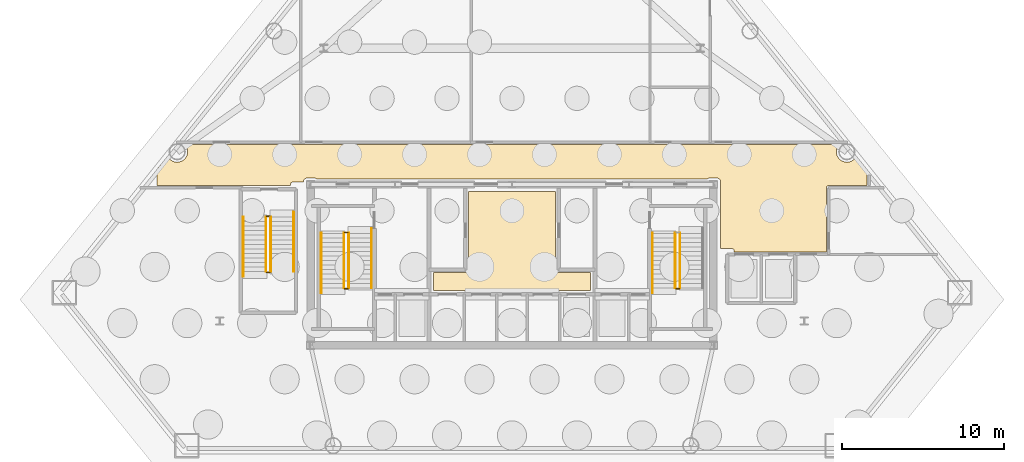
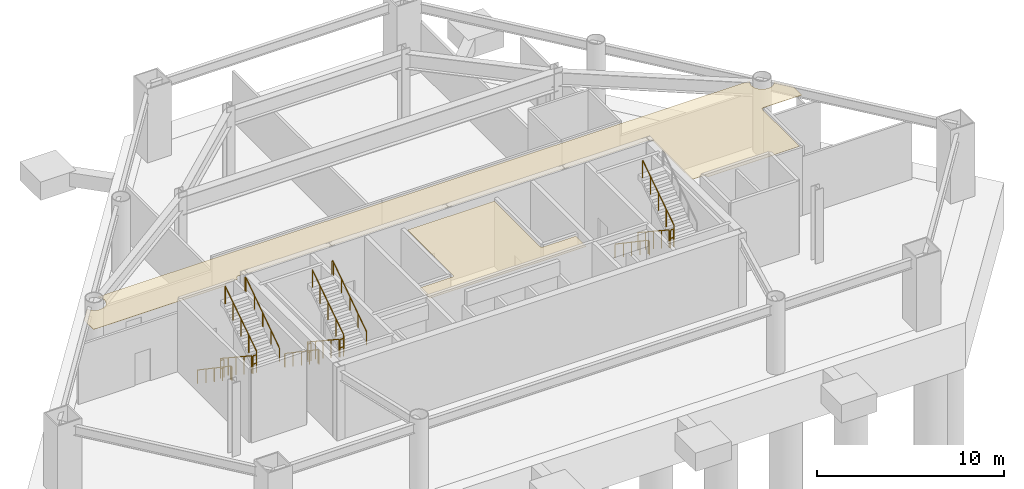
# One storey, part 6 of 8: 16 railings, 2 coverings.
"""IFC4 building model written with IfcOpenShell, lengths in metres."""

import ifcopenshell
import ifcopenshell.guid

model = None  # the IFC model being written
_history = None  # IfcOwnerHistory: only IFC2X3 demands one
_inside = {}  # id of a spatial element -> (the spatial element, [elements in it])
_under = {}  # id of a project, library or spatial element -> (it, [spatial elements below it])
_declared = {}  # id of a project -> (the project, [libraries it declares])
_typed = {}  # id of a type object -> (the type object, [elements of that type])
_made_of = {}  # id of a material, layer set ... -> (it, [elements and type objects made of it])


def new_model(schema):
    """Start an empty IFC model of exactly this schema.

    Asked for "IFC4X3", IfcOpenShell would pick the latest addendum, in which some entities
    have other attributes; the version numbers below select the first issue.
    IFC2X3 requires an IfcOwnerHistory on every rooted entity: one is made here for all.
    """
    global model, _history
    if schema == "IFC4X3":
        model = ifcopenshell.file(schema_version=(4, 3, 0, 0))
    else:
        model = ifcopenshell.file(schema=schema)
    _inside.clear()
    _under.clear()
    _declared.clear()
    _typed.clear()
    _made_of.clear()
    _history = None
    if model.schema == "IFC2X3":
        org = make("IfcOrganization", Name="unknown")
        user = make(
            "IfcPersonAndOrganization",
            ThePerson=make("IfcPerson", FamilyName="unknown"),
            TheOrganization=org,
        )
        app = make(
            "IfcApplication",
            ApplicationDeveloper=org,
            Version="unknown",
            ApplicationFullName="unknown",
            ApplicationIdentifier="unknown",
        )
        _history = make(
            "IfcOwnerHistory",
            OwningUser=user,
            OwningApplication=app,
            ChangeAction="ADDED",
            CreationDate=0,
        )
    return model


def make(cls, **values):
    """One entity of the class cls with the attributes given. An attribute that is None is left unset."""
    return model.create_entity(
        cls, **{name: value for name, value in values.items() if value is not None}
    )


def rooted(cls, **values):
    """An entity with a GlobalId (a new one), such as an element, a storey or a relation."""
    return make(cls, GlobalId=ifcopenshell.guid.new(), OwnerHistory=_history, **values)


def si_unit(unit_type, name, prefix=None):
    """IfcSIUnit, for example si_unit("LENGTHUNIT", "METRE", prefix="MILLI")."""
    return make("IfcSIUnit", UnitType=unit_type, Prefix=prefix, Name=name)


def assignment(units):
    """IfcUnitAssignment: the units of a project."""
    return None if units is None else make("IfcUnitAssignment", Units=units)


def point(xyz):
    """IfcCartesianPoint."""
    return None if xyz is None else make("IfcCartesianPoint", Coordinates=xyz)


def direction(xyz):
    """IfcDirection."""
    return None if xyz is None else make("IfcDirection", DirectionRatios=xyz)


def frame(location, z_axis=None, x_axis=None):
    """IfcAxis2Placement3D, a coordinate frame: its origin and axes. An axis left out is left unset."""
    return make(
        "IfcAxis2Placement3D",
        Location=point(location),
        Axis=direction(z_axis),
        RefDirection=direction(x_axis),
    )


def frame_2d(location, x_axis=None):
    """IfcAxis2Placement2D, a coordinate frame in the plane: its origin and x axis."""
    return make(
        "IfcAxis2Placement2D", Location=point(location), RefDirection=direction(x_axis)
    )


def origin():
    """The frame at (0, 0, 0) with its axes left unset."""
    return frame((0.0, 0.0, 0.0))


def origin_2d():
    """The frame at (0, 0) in the plane with its x axis left unset."""
    return frame_2d((0.0, 0.0))


def place(relative_to, where):
    """IfcLocalPlacement: puts the frame where relative to a parent placement (None: the world)."""
    return make(
        "IfcLocalPlacement", PlacementRelTo=relative_to, RelativePlacement=where
    )


def context(
    kind, dimensions, precision=None, world=None, true_north=None, identifier=None
):
    """IfcGeometricRepresentationContext, for example the 3D "Model" context."""
    return make(
        "IfcGeometricRepresentationContext",
        ContextIdentifier=identifier,
        ContextType=kind,
        CoordinateSpaceDimension=dimensions,
        Precision=precision,
        WorldCoordinateSystem=world,
        TrueNorth=true_north,
    )


def subcontext(parent, identifier, kind, view, scale=None):
    """IfcGeometricRepresentationSubContext, for example "Body" below "Model"."""
    return make(
        "IfcGeometricRepresentationSubContext",
        ContextIdentifier=identifier,
        ContextType=kind,
        ParentContext=parent,
        TargetScale=scale,
        TargetView=view,
    )


def project(units=None, contexts=None):
    """IfcProject with its units and contexts."""
    return rooted(
        "IfcProject",
        Name="project",
        RepresentationContexts=contexts,
        UnitsInContext=assignment(units),
    )


def spatial(cls, under=None, at=None, **own):
    """A site, building, storey or space (cls), placed at a placement, below another one or the project."""
    s = rooted(cls, ObjectPlacement=at, **own)
    if under is not None:
        _under.setdefault(under.id(), (under, []))[1].append(s)
    return s


def polyline(points):
    """IfcPolyline through the points."""
    return make("IfcPolyline", Points=[point(p) for p in points])


def profile(cls, at=None, kind="AREA", **sizes):
    """A parametric profile (cls). Its sizes go by their IFC names, for example OverallWidth=200.0."""
    return make(cls, ProfileType=kind, Position=at, **sizes)


def rectangle(**sizes):
    """IfcRectangleProfileDef."""
    return profile("IfcRectangleProfileDef", **sizes)


def outline(outer, holes=None, kind="AREA"):
    """IfcArbitraryClosedProfileDef: a profile drawn as a closed curve; with holes, ...WithVoids."""
    if holes is None:
        return make("IfcArbitraryClosedProfileDef", ProfileType=kind, OuterCurve=outer)
    return make(
        "IfcArbitraryProfileDefWithVoids",
        ProfileType=kind,
        OuterCurve=outer,
        InnerCurves=holes,
    )


def extrude(swept, where, along, depth):
    """IfcExtrudedAreaSolid: the profile swept, set in the frame where, extruded along a direction by depth."""
    return make(
        "IfcExtrudedAreaSolid",
        SweptArea=swept,
        Position=where,
        ExtrudedDirection=direction(along),
        Depth=depth,
    )


def shape(context_of_items, identifier, shape_type, items):
    """IfcShapeRepresentation: the items that make up one representation, for example the "Body"."""
    return make(
        "IfcShapeRepresentation",
        ContextOfItems=context_of_items,
        RepresentationIdentifier=identifier,
        RepresentationType=shape_type,
        Items=items,
    )


def material(Name=None, Category=None):
    """IfcMaterial."""
    return make("IfcMaterial", Name=Name, Category=Category)


def layer(
    of_material, thickness, ventilated=None, Name=None, Category=None, Priority=None
):
    """IfcMaterialLayer: one layer of a wall or slab, of a material (None: an air gap)."""
    return make(
        "IfcMaterialLayer",
        Material=of_material,
        LayerThickness=thickness,
        IsVentilated=ventilated,
        Name=Name,
        Category=Category,
        Priority=Priority,
    )


def layer_set(layers, Name=None):
    """IfcMaterialLayerSet."""
    return make("IfcMaterialLayerSet", MaterialLayers=layers, LayerSetName=Name)


def made_of(thing, what):
    """Note that an element or type object is made of a material, layer set ...; save() writes the relation."""
    if what is not None:
        _made_of.setdefault(what.id(), (what, []))[1].append(thing)
    return thing


def type_object(cls, material=None, **own):
    """A type object (cls), such as IfcWallType, which elements share."""
    return made_of(rooted(cls, **own), material)


def element(
    cls,
    number,
    at=None,
    inside=None,
    cuts=None,
    type_object=None,
    material=None,
    context=None,
    identifier="Body",
    shape_type=None,
    held_by="IfcProductDefinitionShape",
    body=None,
    shapes=None,
    **own,
):
    """One element of the class cls, such as IfcWall. Its Tag is "e" and its number.

    at: its placement. inside: the storey or other place that contains it. cuts: it is an
    opening in that element (IfcRelVoidsElement). A single representation is given by context,
    identifier, shape_type and body (its items); several are given by shapes. held_by: the class
    of the entity that holds the representations. save() writes the other relations.
    """
    e = rooted(cls, Tag="e%d" % number, ObjectPlacement=at, **own)
    if body is not None:
        shapes = [shape(context, identifier, shape_type, body)]
    if shapes is not None:
        e.Representation = make(held_by, Representations=shapes)
    if inside is not None:
        _inside.setdefault(inside.id(), (inside, []))[1].append(e)
    if cuts is not None:
        rooted(
            "IfcRelVoidsElement", RelatingBuildingElement=cuts, RelatedOpeningElement=e
        )
    if type_object is not None:
        _typed.setdefault(type_object.id(), (type_object, []))[1].append(e)
    return made_of(e, material)


def aggregate(whole, parts):
    """IfcRelAggregates: a whole, such as a stair, and the parts it consists of."""
    return rooted("IfcRelAggregates", RelatingObject=whole, RelatedObjects=parts)


def save(model, path):
    """Write the relations noted so far, then the file.

    IfcRelAggregates (storeys below a building ...), IfcRelContainedInSpatialStructure (elements
    in a storey), IfcRelDefinesByType, IfcRelAssociatesMaterial and IfcRelDeclares: one each for
    every whole, place, type object, material and project.
    """
    for whole, parts in _under.values():
        aggregate(whole, parts)
    for where, things in _inside.values():
        rooted(
            "IfcRelContainedInSpatialStructure",
            RelatedElements=things,
            RelatingStructure=where,
        )
    for kind, things in _typed.values():
        rooted("IfcRelDefinesByType", RelatedObjects=things, RelatingType=kind)
    for what, things in _made_of.values():
        rooted("IfcRelAssociatesMaterial", RelatedObjects=things, RelatingMaterial=what)
    for by, libraries in _declared.values():
        rooted("IfcRelDeclares", RelatingContext=by, RelatedDefinitions=libraries)
    model.write(path)


model = new_model("IFC4")

# Units and contexts
model_context = context("Model", 3, precision=1e-05, world=origin(), true_north=direction((0.0, 1.0)))
body_context = subcontext(model_context, "Body", "Model", "MODEL_VIEW")
ifc_project = project(units=[si_unit("LENGTHUNIT", "METRE"), si_unit("AREAUNIT", "SQUARE_METRE"), si_unit("VOLUMEUNIT", "CUBIC_METRE"), si_unit("PLANEANGLEUNIT", "RADIAN"), si_unit("MASSUNIT", "GRAM", prefix="KILO")], contexts=[model_context])

# Site, building, storey
site_placement = place(None, origin())
site = spatial("IfcSite", under=ifc_project, at=site_placement, CompositionType="ELEMENT")
building_placement = place(site_placement, origin())
building = spatial("IfcBuilding", under=site, at=building_placement, Name="Talgorran Terracotta Tower", CompositionType="ELEMENT")
storey_placement = place(building_placement, frame((0.0, 0.0, -4.800048828125)))
storey = spatial("IfcBuildingStorey", under=building, at=storey_placement, Name="B1", CompositionType="ELEMENT", Elevation=-4.800048828125)

# Coverings
ifc_material_1 = material(Name="Mineral Fibre Acoustic Tile")
ifc_layer_1 = layer(ifc_material_1, 0.02490234375, Name="COV_CEIL_ACOUSTIC")
ifc_layer_set_1 = layer_set([ifc_layer_1], Name="Mineral Fibre Acoustic Tile")
covering_type_1 = type_object("IfcCoveringType", Name="COV_CEIL_ACOUSTIC", PredefinedType="CEILING", material=ifc_layer_set_1)
covering_1_placement = place(storey_placement, frame((0.0, 0.0, 4.39013671875)))
element("IfcCovering", 1, at=covering_1_placement, inside=storey, type_object=covering_type_1, Name="CEIL-B1-2", PredefinedType="CEILING", context=body_context, shape_type="SweptSolid", body=[
    extrude(outline(polyline([(-21.211669921875, -2.4453125), (-21.209716796875, -2.4482421875), (-21.094970703125, -2.620361328125), (-21.087890625, -2.629638671875), (-21.080078125, -2.638427734375), (-21.0712890625, -2.646484375), (-21.061767578125, -2.6533203125), (-20.889892578125, -2.768310546875), (-20.879638671875, -2.7744140625), (-20.868896484375, -2.779296875), (-20.85791015625, -2.783203125), (-20.846435546875, -2.7861328125), (-20.643798828125, -2.826416015625), (-20.632080078125, -2.828125), (-20.620361328125, -2.828857421875), (-20.6083984375, -2.828125), (-20.596923828125, -2.826416015625), (-20.39404296875, -2.7861328125), (-20.3828125, -2.783203125), (-20.37158203125, -2.779296875), (-20.36083984375, -2.7744140625), (-20.350830078125, -2.768310546875), (-20.1787109375, -2.6533203125), (-20.16943359375, -2.646484375), (-20.16064453125, -2.638427734375), (-20.152587890625, -2.629638671875), (-20.145751953125, -2.620361328125), (-20.03076171875, -2.4482421875), (-20.02490234375, -2.438232421875), (-20.019775390625, -2.427490234375), (-20.015869140625, -2.41650390625), (-20.012939453125, -2.405029296875), (-19.97265625, -2.2021484375), (-19.970947265625, -2.190673828125), (-19.97021484375, -2.1787109375), (-19.970947265625, -2.1669921875), (-19.97265625, -2.155517578125), (-20.012939453125, -1.95263671875), (-20.015869140625, -1.941162109375), (-20.019775390625, -1.93017578125), (-20.02490234375, -1.91943359375), (-20.03076171875, -1.9091796875), (-20.145751953125, -1.7373046875), (-20.1474609375, -1.735107421875), (20.1474609375, -1.735107421875), (20.145751953125, -1.7373046875), (20.03076171875, -1.9091796875), (20.02490234375, -1.91943359375), (20.019775390625, -1.93017578125), (20.015869140625, -1.941162109375), (20.012939453125, -1.95263671875), (19.97265625, -2.155517578125), (19.970947265625, -2.1669921875), (19.97021484375, -2.1787109375), (19.970947265625, -2.190673828125), (19.97265625, -2.2021484375), (20.012939453125, -2.405029296875), (20.015869140625, -2.41650390625), (20.019775390625, -2.427490234375), (20.02490234375, -2.438232421875), (20.03076171875, -2.4482421875), (20.145751953125, -2.620361328125), (20.152587890625, -2.629638671875), (20.16064453125, -2.638427734375), (20.16943359375, -2.646484375), (20.1787109375, -2.6533203125), (20.350830078125, -2.768310546875), (20.36083984375, -2.7744140625), (20.37158203125, -2.779296875), (20.3828125, -2.783203125), (20.39404296875, -2.7861328125), (20.596923828125, -2.826416015625), (20.6083984375, -2.828125), (20.620361328125, -2.828857421875), (20.632080078125, -2.828125), (20.643798828125, -2.826416015625), (20.846435546875, -2.7861328125), (20.85791015625, -2.783203125), (20.868896484375, -2.779296875), (20.879638671875, -2.7744140625), (20.889892578125, -2.768310546875), (21.061767578125, -2.6533203125), (21.0712890625, -2.646484375), (21.080078125, -2.638427734375), (21.087890625, -2.629638671875), (21.094970703125, -2.620361328125), (21.209716796875, -2.4482421875), (21.2109375, -2.4462890625), (21.864990234375, -3.260986328125), (21.864990234375, -4.264892578125), (19.5, -4.264892578125), (19.48828125, -4.265625), (19.476806640625, -4.267333984375), (19.46533203125, -4.27001953125), (19.45703125, -4.272705078125), (19.446044921875, -4.276611328125), (19.435302734375, -4.281494140625), (19.42529296875, -4.28759765625), (19.415771484375, -4.294677734375), (19.406982421875, -4.302490234375), (19.399169921875, -4.311279296875), (19.3935546875, -4.318115234375), (19.386474609375, -4.327392578125), (19.38037109375, -4.337646484375), (19.375244140625, -4.348388671875), (19.371337890625, -4.359375), (19.368408203125, -4.370849609375), (19.36669921875, -4.382568359375), (19.3662109375, -4.394287109375), (19.364990234375, -8.364990234375), (13.684814453125, -8.364990234375), (13.684814453125, -8.2783203125), (13.684326171875, -8.2666015625), (13.6826171875, -8.255126953125), (13.6796875, -8.243896484375), (13.67578125, -8.232666015625), (13.672607421875, -8.224609375), (13.66748046875, -8.214111328125), (13.66162109375, -8.2041015625), (13.65478515625, -8.19482421875), (13.64697265625, -8.186279296875), (13.638427734375, -8.17822265625), (13.629150390625, -8.17138671875), (13.621826171875, -8.16650390625), (13.61181640625, -8.16015625), (13.60107421875, -8.155029296875), (13.58984375, -8.15087890625), (13.578125, -8.14794921875), (13.56640625, -8.146240234375), (13.554443359375, -8.1455078125), (12.8349609375, -8.14501953125), (12.8349609375, -3.97998046875), (12.83447265625, -3.96826171875), (12.832763671875, -3.956787109375), (12.829833984375, -3.9453125), (12.827392578125, -3.93701171875), (12.823486328125, -3.926025390625), (12.818359375, -3.915283203125), (12.8125, -3.9052734375), (12.805419921875, -3.895751953125), (12.797607421875, -3.886962890625), (12.7890625, -3.87939453125), (12.785888671875, -3.872314453125), (12.77978515625, -3.8623046875), (12.772705078125, -3.852783203125), (12.764892578125, -3.843994140625), (12.756103515625, -3.836181640625), (12.74658203125, -3.8291015625), (12.736572265625, -3.8232421875), (12.725830078125, -3.818115234375), (12.71484375, -3.814208984375), (12.703369140625, -3.811279296875), (12.69189453125, -3.8095703125), (12.679931640625, -3.80908203125), (12.1201171875, -3.80908203125), (12.108154296875, -3.8095703125), (12.0966796875, -3.811279296875), (12.085205078125, -3.814208984375), (12.07421875, -3.818115234375), (12.0634765625, -3.8232421875), (12.05322265625, -3.8291015625), (12.0439453125, -3.836181640625), (12.03515625, -3.843994140625), (12.034423828125, -3.844970703125), (7.432861328125, -3.844970703125), (6.968017578125, -3.843017578125), (6.967529296875, -3.843017578125), (0.232666015625, -3.844970703125), (-0.23193359375, -3.843017578125), (-0.232421875, -3.843017578125), (-6.96728515625, -3.844970703125), (-7.431884765625, -3.843017578125), (-7.4326171875, -3.843017578125), (-12.034423828125, -3.844970703125), (-12.03515625, -3.843994140625), (-12.0439453125, -3.836181640625), (-12.05322265625, -3.8291015625), (-12.0634765625, -3.8232421875), (-12.07421875, -3.818115234375), (-12.085205078125, -3.814208984375), (-12.0966796875, -3.811279296875), (-12.108154296875, -3.8095703125), (-12.1201171875, -3.80908203125), (-12.679931640625, -3.80908203125), (-12.69189453125, -3.8095703125), (-12.703369140625, -3.811279296875), (-12.71484375, -3.814208984375), (-12.725830078125, -3.818115234375), (-12.736572265625, -3.8232421875), (-12.74658203125, -3.8291015625), (-12.756103515625, -3.836181640625), (-12.764892578125, -3.843994140625), (-12.772705078125, -3.852783203125), (-12.77978515625, -3.8623046875), (-12.785888671875, -3.872314453125), (-12.788818359375, -3.878662109375), (-12.79296875, -3.882568359375), (-12.80078125, -3.89111328125), (-12.806396484375, -3.89794921875), (-12.8134765625, -3.907470703125), (-12.819580078125, -3.91748046875), (-12.82470703125, -3.927978515625), (-12.82861328125, -3.93896484375), (-12.83154296875, -3.9501953125), (-12.833251953125, -3.9619140625), (-12.833984375, -3.9736328125), (-12.834228515625, -4.044921875), (-13.5, -4.044921875), (-13.51171875, -4.045654296875), (-13.523193359375, -4.04736328125), (-13.53466796875, -4.050048828125), (-13.54296875, -4.052490234375), (-13.553955078125, -4.056396484375), (-13.564697265625, -4.0615234375), (-13.57470703125, -4.067626953125), (-13.584228515625, -4.07470703125), (-13.593017578125, -4.08251953125), (-13.600830078125, -4.09130859375), (-13.6064453125, -4.097900390625), (-13.613525390625, -4.107421875), (-13.61962890625, -4.117431640625), (-13.62451171875, -4.1279296875), (-13.628662109375, -4.138916015625), (-13.631591796875, -4.150390625), (-13.63330078125, -4.162109375), (-13.6337890625, -4.173583984375), (-13.634521484375, -4.264892578125), (-21.864990234375, -4.264892578125), (-21.864990234375, -3.260986328125), (-21.211669921875, -2.4453125)])), origin(), (0.0, 0.0, 1.0), 0.02001953125),
])
ifc_material_2 = material(Name="Flush Moisture-Resistant Plaster")
ifc_layer_2 = layer(ifc_material_2, 0.01806640625, Name="COV_CEIL_PLASTER")
ifc_layer_set_2 = layer_set([ifc_layer_2], Name="Flush Moisture-Resistant Plaster")
covering_type_2 = type_object("IfcCoveringType", Name="COV_CEIL_PLASTER", PredefinedType="CEILING", material=ifc_layer_set_2)
covering_2_placement = place(storey_placement, frame((0.0, 0.0, 4.39013671875)))
element("IfcCovering", 2, at=covering_2_placement, inside=storey, type_object=covering_type_2, Name="CEIL-B1-1", PredefinedType="CEILING", context=body_context, shape_type="SweptSolid", body=[
    extrude(outline(polyline([(-4.830078125, -9.6201171875), (-2.800048828125, -9.6201171875), (-2.7880859375, -9.619384765625), (-2.776611328125, -9.61767578125), (-2.76513671875, -9.61474609375), (-2.754150390625, -9.61083984375), (-2.743408203125, -9.605712890625), (-2.7333984375, -9.599853515625), (-2.723876953125, -9.5927734375), (-2.715087890625, -9.5849609375), (-2.707275390625, -9.576171875), (-2.7001953125, -9.566650390625), (-2.694091796875, -9.556640625), (-2.689208984375, -9.5458984375), (-2.685302734375, -9.534912109375), (-2.682373046875, -9.5234375), (-2.6806640625, -9.51171875), (-2.679931640625, -9.5), (-2.679931640625, -4.6201171875), (2.679931640625, -4.6201171875), (2.679931640625, -9.5), (2.6806640625, -9.51171875), (2.682373046875, -9.5234375), (2.685302734375, -9.534912109375), (2.689208984375, -9.5458984375), (2.694091796875, -9.556640625), (2.7001953125, -9.566650390625), (2.707275390625, -9.576171875), (2.715087890625, -9.5849609375), (2.723876953125, -9.5927734375), (2.7333984375, -9.599853515625), (2.743408203125, -9.605712890625), (2.754150390625, -9.61083984375), (2.76513671875, -9.61474609375), (2.776611328125, -9.61767578125), (2.7880859375, -9.619384765625), (2.800048828125, -9.6201171875), (4.830078125, -9.6201171875), (4.830078125, -10.72998046875), (-4.830078125, -10.72998046875), (-4.830078125, -9.6201171875)])), origin(), (0.0, 0.0, 1.0), 0.02001953125),
])

# Railings
ifc_material_3 = material(Name="Steel S355 (300PLUS)", Category="steel")
railing_type_1 = type_object("IfcRailingType", Name="RL_HANDRAIL_920", PredefinedType="HANDRAIL", material=ifc_material_3)
railing_1_placement = place(storey_placement, frame((-11.75, -7.199951171875, 0.1845703125)))
element("IfcRailing", 3, at=railing_1_placement, inside=storey, type_object=railing_type_1, Name="B1 ST-01 stair handrail 1", PredefinedType="HANDRAIL", context=body_context, shape_type="SweptSolid", body=[
    extrude(rectangle(XDim=0.048095703125, YDim=0.048095703125, at=origin_2d()), frame((0.0, 0.0, 0.89599609375), z_axis=(0.0, -0.827695465973, 0.561177525929), x_axis=(1.0, 0.0, 0.0)), (0.0, 0.0, 1.0), 4.277099609375),
    extrude(rectangle(XDim=0.048095703125, YDim=0.048095703125, at=origin_2d()), frame((0.0, -3.5400390625, 3.2958984375), z_axis=(0.0, -1.0, 0.0), x_axis=(1.0, 0.0, 0.0)), (0.0, 0.0, 1.0), 0.1201171875),
    extrude(rectangle(XDim=0.0419921875, YDim=0.0419921875, at=origin_2d()), origin(), (0.0, 0.0, 1.0), 0.871826171875),
    extrude(rectangle(XDim=0.0419921875, YDim=0.0419921875, at=origin_2d()), frame((0.0, -0.885009765625, 0.60009765625)), (0.0, 0.0, 1.0), 0.871826171875),
    extrude(rectangle(XDim=0.0419921875, YDim=0.0419921875, at=origin_2d()), frame((0.0, -1.77001953125, 1.2001953125)), (0.0, 0.0, 1.0), 0.871826171875),
    extrude(rectangle(XDim=0.0419921875, YDim=0.0419921875, at=origin_2d()), frame((0.0, -2.655029296875, 1.800048828125)), (0.0, 0.0, 1.0), 0.871826171875),
    extrude(rectangle(XDim=0.0419921875, YDim=0.0419921875, at=origin_2d()), frame((0.0, -3.5400390625, 2.400146484375)), (0.0, 0.0, 1.0), 0.871826171875),
    extrude(rectangle(XDim=0.0419921875, YDim=0.0419921875, at=origin_2d()), frame((0.0, -3.66015625, 2.400146484375)), (0.0, 0.0, 1.0), 0.871826171875),
])
railing_2_placement = place(storey_placement, frame((-8.64990234375, -10.56005859375, 2.584716796875)))
element("IfcRailing", 4, at=railing_2_placement, inside=storey, type_object=railing_type_1, Name="B1 ST-01 stair handrail 2", PredefinedType="HANDRAIL", context=body_context, shape_type="SweptSolid", body=[
    extrude(rectangle(XDim=0.048095703125, YDim=0.048095703125, at=origin_2d()), frame((0.0, 0.0, 0.89599609375), z_axis=(0.0, 0.827721979786, 0.561138418021), x_axis=(-1.0, 0.0, 0.0)), (0.0, 0.0, 1.0), 4.27685546875),
    extrude(rectangle(XDim=0.048095703125, YDim=0.048095703125, at=origin_2d()), frame((0.0, 3.5400390625, 3.2958984375), z_axis=(0.0, 1.0, 0.0), x_axis=(-1.0, 0.0, 0.0)), (0.0, 0.0, 1.0), 0.1201171875),
    extrude(rectangle(XDim=0.0419921875, YDim=0.0419921875, at=origin_2d()), origin(), (0.0, 0.0, 1.0), 0.871826171875),
    extrude(rectangle(XDim=0.0419921875, YDim=0.0419921875, at=origin_2d()), frame((0.0, 0.885009765625, 0.60009765625)), (0.0, 0.0, 1.0), 0.871826171875),
    extrude(rectangle(XDim=0.0419921875, YDim=0.0419921875, at=origin_2d()), frame((0.0, 1.77001953125, 1.199951171875)), (0.0, 0.0, 1.0), 0.871826171875),
    extrude(rectangle(XDim=0.0419921875, YDim=0.0419921875, at=origin_2d()), frame((0.0, 2.655029296875, 1.7998046875)), (0.0, 0.0, 1.0), 0.871826171875),
    extrude(rectangle(XDim=0.0419921875, YDim=0.0419921875, at=origin_2d()), frame((0.0, 3.5400390625, 2.39990234375)), (0.0, 0.0, 1.0), 0.871826171875),
    extrude(rectangle(XDim=0.0419921875, YDim=0.0419921875, at=origin_2d()), frame((0.0, 3.66015625, 2.39990234375)), (0.0, 0.0, 1.0), 0.871826171875),
])
for number, where, name in (
    (5, (8.64990234375, -7.199951171875, 0.1845703125), "B1 ST-02 stair handrail 1"),
    (6, (-16.550048828125, -6.199951171875, 0.1845703125), "B1 ST-03 stair handrail 1"),
):
    element("IfcRailing", number, at=place(storey_placement, frame(where)), inside=storey, type_object=railing_type_1, Name=name, PredefinedType="HANDRAIL", context=body_context, shape_type="SweptSolid", body=[
        extrude(rectangle(XDim=0.048095703125, YDim=0.048095703125, at=origin_2d()), frame((0.0, 0.0, 0.89599609375), z_axis=(0.0, -0.827695465973, 0.561177525929), x_axis=(1.0, 0.0, 0.0)), (0.0, 0.0, 1.0), 4.277099609375),
        extrude(rectangle(XDim=0.048095703125, YDim=0.048095703125, at=origin_2d()), frame((0.0, -3.5400390625, 3.2958984375), z_axis=(0.0, -1.0, 0.0), x_axis=(1.0, 0.0, 0.0)), (0.0, 0.0, 1.0), 0.1201171875),
        extrude(rectangle(XDim=0.0419921875, YDim=0.0419921875, at=origin_2d()), origin(), (0.0, 0.0, 1.0), 0.871826171875),
        extrude(rectangle(XDim=0.0419921875, YDim=0.0419921875, at=origin_2d()), frame((0.0, -0.885009765625, 0.60009765625)), (0.0, 0.0, 1.0), 0.871826171875),
        extrude(rectangle(XDim=0.0419921875, YDim=0.0419921875, at=origin_2d()), frame((0.0, -1.77001953125, 1.2001953125)), (0.0, 0.0, 1.0), 0.871826171875),
        extrude(rectangle(XDim=0.0419921875, YDim=0.0419921875, at=origin_2d()), frame((0.0, -2.655029296875, 1.800048828125)), (0.0, 0.0, 1.0), 0.871826171875),
        extrude(rectangle(XDim=0.0419921875, YDim=0.0419921875, at=origin_2d()), frame((0.0, -3.5400390625, 2.400146484375)), (0.0, 0.0, 1.0), 0.871826171875),
        extrude(rectangle(XDim=0.0419921875, YDim=0.0419921875, at=origin_2d()), frame((0.0, -3.66015625, 2.400146484375)), (0.0, 0.0, 1.0), 0.871826171875),
    ])
railing_3_placement = place(storey_placement, frame((-13.449951171875, -9.56005859375, 2.584716796875)))
element("IfcRailing", 7, at=railing_3_placement, inside=storey, type_object=railing_type_1, Name="B1 ST-03 stair handrail 2", PredefinedType="HANDRAIL", context=body_context, shape_type="SweptSolid", body=[
    extrude(rectangle(XDim=0.048095703125, YDim=0.048095703125, at=origin_2d()), frame((0.0, 0.0, 0.89599609375), z_axis=(0.0, 0.827721979786, 0.561138418021), x_axis=(-1.0, 0.0, 0.0)), (0.0, 0.0, 1.0), 4.27685546875),
    extrude(rectangle(XDim=0.048095703125, YDim=0.048095703125, at=origin_2d()), frame((0.0, 3.5400390625, 3.2958984375), z_axis=(0.0, 1.0, 0.0), x_axis=(-1.0, 0.0, 0.0)), (0.0, 0.0, 1.0), 0.1201171875),
    extrude(rectangle(XDim=0.0419921875, YDim=0.0419921875, at=origin_2d()), origin(), (0.0, 0.0, 1.0), 0.871826171875),
    extrude(rectangle(XDim=0.0419921875, YDim=0.0419921875, at=origin_2d()), frame((0.0, 0.885009765625, 0.60009765625)), (0.0, 0.0, 1.0), 0.871826171875),
    extrude(rectangle(XDim=0.0419921875, YDim=0.0419921875, at=origin_2d()), frame((0.0, 1.77001953125, 1.199951171875)), (0.0, 0.0, 1.0), 0.871826171875),
    extrude(rectangle(XDim=0.0419921875, YDim=0.0419921875, at=origin_2d()), frame((0.0, 2.655029296875, 1.7998046875)), (0.0, 0.0, 1.0), 0.871826171875),
    extrude(rectangle(XDim=0.0419921875, YDim=0.0419921875, at=origin_2d()), frame((0.0, 3.5400390625, 2.39990234375)), (0.0, 0.0, 1.0), 0.871826171875),
    extrude(rectangle(XDim=0.0419921875, YDim=0.0419921875, at=origin_2d()), frame((0.0, 3.66015625, 2.39990234375)), (0.0, 0.0, 1.0), 0.871826171875),
])
railing_type_2 = type_object("IfcRailingType", Name="RL_STAIR_GUARD", PredefinedType="GUARDRAIL", material=ifc_material_3)
railing_4_placement = place(storey_placement, frame((-10.35009765625, -7.199951171875, 0.1845703125)))
element("IfcRailing", 8, at=railing_4_placement, inside=storey, type_object=railing_type_2, Name="B1 ST-01 stair guard 1", PredefinedType="GUARDRAIL", context=body_context, shape_type="SweptSolid", body=[
    extrude(rectangle(XDim=0.048095703125, YDim=0.048095703125, at=origin_2d()), frame((0.0, 0.0, 1.15576171875), z_axis=(0.0, -0.834848600103, 0.550479622607), x_axis=(1.0, 0.0, 0.0)), (0.0, 0.0, 1.0), 4.02490234375),
    extrude(rectangle(XDim=0.0419921875, YDim=0.0419921875, at=origin_2d()), origin(), (0.0, 0.0, 1.0), 1.1318359375),
    extrude(rectangle(XDim=0.0419921875, YDim=0.0419921875, at=origin_2d()), frame((0.0, -0.840087890625, 0.553955078125)), (0.0, 0.0, 1.0), 1.1318359375),
    extrude(rectangle(XDim=0.0419921875, YDim=0.0419921875, at=origin_2d()), frame((0.0, -1.68017578125, 1.10791015625)), (0.0, 0.0, 1.0), 1.1318359375),
    extrude(rectangle(XDim=0.0419921875, YDim=0.0419921875, at=origin_2d()), frame((0.0, -2.52001953125, 1.66162109375)), (0.0, 0.0, 1.0), 1.1318359375),
    extrude(rectangle(XDim=0.0419921875, YDim=0.0419921875, at=origin_2d()), frame((0.0, -3.360107421875, 2.215576171875)), (0.0, 0.0, 1.0), 1.1318359375),
])
railing_5_placement = place(storey_placement, frame((-10.300048828125, -10.610107421875, 2.400146484375)))
element("IfcRailing", 9, at=railing_5_placement, inside=storey, type_object=railing_type_2, Name="B1 ST-01 stair guard 2", PredefinedType="GUARDRAIL", context=body_context, shape_type="SweptSolid", body=[
    extrude(rectangle(XDim=0.048095703125, YDim=0.048095703125, at=origin_2d()), frame((0.0, 0.0, 1.15576171875), z_axis=(1.0, 0.0, 0.0), x_axis=(0.0, 1.0, 0.0)), (0.0, 0.0, 1.0), 0.199951171875),
    extrude(rectangle(XDim=0.048095703125, YDim=0.048095703125, at=origin_2d()), frame((0.0, 0.0, 0.613525390625), z_axis=(1.0, 0.0, 0.0), x_axis=(0.0, 1.0, 0.0)), (0.0, 0.0, 1.0), 0.199951171875),
    extrude(rectangle(XDim=0.0419921875, YDim=0.0419921875, at=origin_2d()), origin(), (0.0, 0.0, 1.0), 1.1318359375),
    extrude(rectangle(XDim=0.0419921875, YDim=0.0419921875, at=origin_2d()), frame((0.199951171875, 0.0, 0.0)), (0.0, 0.0, 1.0), 1.1318359375),
])
railing_6_placement = place(storey_placement, frame((-10.050048828125, -10.56005859375, 2.584716796875)))
element("IfcRailing", 10, at=railing_6_placement, inside=storey, type_object=railing_type_2, Name="B1 ST-01 stair guard 3", PredefinedType="GUARDRAIL", context=body_context, shape_type="SweptSolid", body=[
    extrude(rectangle(XDim=0.048095703125, YDim=0.048095703125, at=origin_2d()), frame((0.0, 0.0, 1.15576171875), z_axis=(0.0, 0.834876476806, 0.550437342915), x_axis=(-1.0, 0.0, 0.0)), (0.0, 0.0, 1.0), 4.024658203125),
    extrude(rectangle(XDim=0.0419921875, YDim=0.0419921875, at=origin_2d()), origin(), (0.0, 0.0, 1.0), 1.1318359375),
    extrude(rectangle(XDim=0.0419921875, YDim=0.0419921875, at=origin_2d()), frame((0.0, 0.840087890625, 0.5537109375)), (0.0, 0.0, 1.0), 1.1318359375),
    extrude(rectangle(XDim=0.0419921875, YDim=0.0419921875, at=origin_2d()), frame((0.0, 1.68017578125, 1.107666015625)), (0.0, 0.0, 1.0), 1.1318359375),
    extrude(rectangle(XDim=0.0419921875, YDim=0.0419921875, at=origin_2d()), frame((0.0, 2.52001953125, 1.66162109375)), (0.0, 0.0, 1.0), 1.1318359375),
    extrude(rectangle(XDim=0.0419921875, YDim=0.0419921875, at=origin_2d()), frame((0.0, 3.360107421875, 2.21533203125)), (0.0, 0.0, 1.0), 1.1318359375),
])
railing_7_placement = place(storey_placement, frame((-10.300048828125, -7.14990234375, 0.0)))
element("IfcRailing", 11, at=railing_7_placement, inside=storey, type_object=railing_type_2, Name="B1 ST-01 stair guard 4", PredefinedType="GUARDRAIL", context=body_context, shape_type="SweptSolid", body=[
    extrude(rectangle(XDim=0.048095703125, YDim=0.048095703125, at=origin_2d()), frame((0.0, 0.0, 1.15576171875), z_axis=(1.0, 0.0, 0.0), x_axis=(0.0, 1.0, 0.0)), (0.0, 0.0, 1.0), 0.199951171875),
    extrude(rectangle(XDim=0.048095703125, YDim=0.048095703125, at=origin_2d()), frame((0.0, 0.0, 0.613525390625), z_axis=(1.0, 0.0, 0.0), x_axis=(0.0, 1.0, 0.0)), (0.0, 0.0, 1.0), 0.199951171875),
    extrude(rectangle(XDim=0.0419921875, YDim=0.0419921875, at=origin_2d()), origin(), (0.0, 0.0, 1.0), 1.1318359375),
    extrude(rectangle(XDim=0.0419921875, YDim=0.0419921875, at=origin_2d()), frame((0.199951171875, 0.0, 0.0)), (0.0, 0.0, 1.0), 1.1318359375),
])
railing_8_placement = place(storey_placement, frame((10.050048828125, -7.199951171875, 0.1845703125)))
element("IfcRailing", 12, at=railing_8_placement, inside=storey, type_object=railing_type_2, Name="B1 ST-02 stair guard 1", PredefinedType="GUARDRAIL", context=body_context, shape_type="SweptSolid", body=[
    extrude(rectangle(XDim=0.048095703125, YDim=0.048095703125, at=origin_2d()), frame((0.0, 0.0, 1.15576171875), z_axis=(0.0, -0.834848600103, 0.550479622607), x_axis=(1.0, 0.0, 0.0)), (0.0, 0.0, 1.0), 4.02490234375),
    extrude(rectangle(XDim=0.0419921875, YDim=0.0419921875, at=origin_2d()), origin(), (0.0, 0.0, 1.0), 1.1318359375),
    extrude(rectangle(XDim=0.0419921875, YDim=0.0419921875, at=origin_2d()), frame((0.0, -0.840087890625, 0.553955078125)), (0.0, 0.0, 1.0), 1.1318359375),
    extrude(rectangle(XDim=0.0419921875, YDim=0.0419921875, at=origin_2d()), frame((0.0, -1.68017578125, 1.10791015625)), (0.0, 0.0, 1.0), 1.1318359375),
    extrude(rectangle(XDim=0.0419921875, YDim=0.0419921875, at=origin_2d()), frame((0.0, -2.52001953125, 1.66162109375)), (0.0, 0.0, 1.0), 1.1318359375),
    extrude(rectangle(XDim=0.0419921875, YDim=0.0419921875, at=origin_2d()), frame((0.0, -3.360107421875, 2.215576171875)), (0.0, 0.0, 1.0), 1.1318359375),
])
railing_9_placement = place(storey_placement, frame((10.10009765625, -10.610107421875, 2.400146484375)))
element("IfcRailing", 13, at=railing_9_placement, inside=storey, type_object=railing_type_2, Name="B1 ST-02 stair guard 2", PredefinedType="GUARDRAIL", context=body_context, shape_type="SweptSolid", body=[
    extrude(rectangle(XDim=0.048095703125, YDim=0.048095703125, at=origin_2d()), frame((0.0, 0.0, 1.15576171875), z_axis=(1.0, 0.0, 0.0), x_axis=(0.0, 1.0, 0.0)), (0.0, 0.0, 1.0), 0.199951171875),
    extrude(rectangle(XDim=0.048095703125, YDim=0.048095703125, at=origin_2d()), frame((0.0, 0.0, 0.613525390625), z_axis=(1.0, 0.0, 0.0), x_axis=(0.0, 1.0, 0.0)), (0.0, 0.0, 1.0), 0.199951171875),
    extrude(rectangle(XDim=0.0419921875, YDim=0.0419921875, at=origin_2d()), origin(), (0.0, 0.0, 1.0), 1.1318359375),
    extrude(rectangle(XDim=0.0419921875, YDim=0.0419921875, at=origin_2d()), frame((0.199951171875, 0.0, 0.0)), (0.0, 0.0, 1.0), 1.1318359375),
])
railing_10_placement = place(storey_placement, frame((10.35009765625, -10.56005859375, 2.584716796875)))
element("IfcRailing", 14, at=railing_10_placement, inside=storey, type_object=railing_type_2, Name="B1 ST-02 stair guard 3", PredefinedType="GUARDRAIL", context=body_context, shape_type="SweptSolid", body=[
    extrude(rectangle(XDim=0.048095703125, YDim=0.048095703125, at=origin_2d()), frame((0.0, 0.0, 1.15576171875), z_axis=(0.0, 0.834876476806, 0.550437342915), x_axis=(-1.0, 0.0, 0.0)), (0.0, 0.0, 1.0), 4.024658203125),
    extrude(rectangle(XDim=0.0419921875, YDim=0.0419921875, at=origin_2d()), origin(), (0.0, 0.0, 1.0), 1.1318359375),
    extrude(rectangle(XDim=0.0419921875, YDim=0.0419921875, at=origin_2d()), frame((0.0, 0.840087890625, 0.5537109375)), (0.0, 0.0, 1.0), 1.1318359375),
    extrude(rectangle(XDim=0.0419921875, YDim=0.0419921875, at=origin_2d()), frame((0.0, 1.68017578125, 1.107666015625)), (0.0, 0.0, 1.0), 1.1318359375),
    extrude(rectangle(XDim=0.0419921875, YDim=0.0419921875, at=origin_2d()), frame((0.0, 2.52001953125, 1.66162109375)), (0.0, 0.0, 1.0), 1.1318359375),
    extrude(rectangle(XDim=0.0419921875, YDim=0.0419921875, at=origin_2d()), frame((0.0, 3.360107421875, 2.21533203125)), (0.0, 0.0, 1.0), 1.1318359375),
])
railing_11_placement = place(storey_placement, frame((-15.14990234375, -6.199951171875, 0.1845703125)))
element("IfcRailing", 15, at=railing_11_placement, inside=storey, type_object=railing_type_2, Name="B1 ST-03 stair guard 1", PredefinedType="GUARDRAIL", context=body_context, shape_type="SweptSolid", body=[
    extrude(rectangle(XDim=0.048095703125, YDim=0.048095703125, at=origin_2d()), frame((0.0, 0.0, 1.15576171875), z_axis=(0.0, -0.834848600103, 0.550479622607), x_axis=(1.0, 0.0, 0.0)), (0.0, 0.0, 1.0), 4.02490234375),
    extrude(rectangle(XDim=0.0419921875, YDim=0.0419921875, at=origin_2d()), origin(), (0.0, 0.0, 1.0), 1.1318359375),
    extrude(rectangle(XDim=0.0419921875, YDim=0.0419921875, at=origin_2d()), frame((0.0, -0.840087890625, 0.553955078125)), (0.0, 0.0, 1.0), 1.1318359375),
    extrude(rectangle(XDim=0.0419921875, YDim=0.0419921875, at=origin_2d()), frame((0.0, -1.68017578125, 1.10791015625)), (0.0, 0.0, 1.0), 1.1318359375),
    extrude(rectangle(XDim=0.0419921875, YDim=0.0419921875, at=origin_2d()), frame((0.0, -2.52001953125, 1.66162109375)), (0.0, 0.0, 1.0), 1.1318359375),
    extrude(rectangle(XDim=0.0419921875, YDim=0.0419921875, at=origin_2d()), frame((0.0, -3.360107421875, 2.215576171875)), (0.0, 0.0, 1.0), 1.1318359375),
])
railing_12_placement = place(storey_placement, frame((-15.10009765625, -9.610107421875, 2.400146484375)))
element("IfcRailing", 16, at=railing_12_placement, inside=storey, type_object=railing_type_2, Name="B1 ST-03 stair guard 2", PredefinedType="GUARDRAIL", context=body_context, shape_type="SweptSolid", body=[
    extrude(rectangle(XDim=0.048095703125, YDim=0.048095703125, at=origin_2d()), frame((0.0, 0.0, 1.15576171875), z_axis=(1.0, 0.0, 0.0), x_axis=(0.0, 1.0, 0.0)), (0.0, 0.0, 1.0), 0.2001953125),
    extrude(rectangle(XDim=0.048095703125, YDim=0.048095703125, at=origin_2d()), frame((0.0, 0.0, 0.613525390625), z_axis=(1.0, 0.0, 0.0), x_axis=(0.0, 1.0, 0.0)), (0.0, 0.0, 1.0), 0.2001953125),
    extrude(rectangle(XDim=0.0419921875, YDim=0.0419921875, at=origin_2d()), origin(), (0.0, 0.0, 1.0), 1.1318359375),
    extrude(rectangle(XDim=0.0419921875, YDim=0.0419921875, at=origin_2d()), frame((0.2001953125, 0.0, 0.0)), (0.0, 0.0, 1.0), 1.1318359375),
])
railing_13_placement = place(storey_placement, frame((-14.85009765625, -9.56005859375, 2.584716796875)))
element("IfcRailing", 17, at=railing_13_placement, inside=storey, type_object=railing_type_2, Name="B1 ST-03 stair guard 3", PredefinedType="GUARDRAIL", context=body_context, shape_type="SweptSolid", body=[
    extrude(rectangle(XDim=0.048095703125, YDim=0.048095703125, at=origin_2d()), frame((0.0, 0.0, 1.15576171875), z_axis=(0.0, 0.834876476806, 0.550437342915), x_axis=(-1.0, 0.0, 0.0)), (0.0, 0.0, 1.0), 4.024658203125),
    extrude(rectangle(XDim=0.0419921875, YDim=0.0419921875, at=origin_2d()), origin(), (0.0, 0.0, 1.0), 1.1318359375),
    extrude(rectangle(XDim=0.0419921875, YDim=0.0419921875, at=origin_2d()), frame((0.0, 0.840087890625, 0.5537109375)), (0.0, 0.0, 1.0), 1.1318359375),
    extrude(rectangle(XDim=0.0419921875, YDim=0.0419921875, at=origin_2d()), frame((0.0, 1.68017578125, 1.107666015625)), (0.0, 0.0, 1.0), 1.1318359375),
    extrude(rectangle(XDim=0.0419921875, YDim=0.0419921875, at=origin_2d()), frame((0.0, 2.52001953125, 1.66162109375)), (0.0, 0.0, 1.0), 1.1318359375),
    extrude(rectangle(XDim=0.0419921875, YDim=0.0419921875, at=origin_2d()), frame((0.0, 3.360107421875, 2.21533203125)), (0.0, 0.0, 1.0), 1.1318359375),
])
railing_14_placement = place(storey_placement, frame((-15.10009765625, -6.14990234375, 0.0)))
element("IfcRailing", 18, at=railing_14_placement, inside=storey, type_object=railing_type_2, Name="B1 ST-03 stair guard 4", PredefinedType="GUARDRAIL", context=body_context, shape_type="SweptSolid", body=[
    extrude(rectangle(XDim=0.048095703125, YDim=0.048095703125, at=origin_2d()), frame((0.0, 0.0, 1.15576171875), z_axis=(1.0, 0.0, 0.0), x_axis=(0.0, 1.0, 0.0)), (0.0, 0.0, 1.0), 0.2001953125),
    extrude(rectangle(XDim=0.048095703125, YDim=0.048095703125, at=origin_2d()), frame((0.0, 0.0, 0.613525390625), z_axis=(1.0, 0.0, 0.0), x_axis=(0.0, 1.0, 0.0)), (0.0, 0.0, 1.0), 0.2001953125),
    extrude(rectangle(XDim=0.0419921875, YDim=0.0419921875, at=origin_2d()), origin(), (0.0, 0.0, 1.0), 1.1318359375),
    extrude(rectangle(XDim=0.0419921875, YDim=0.0419921875, at=origin_2d()), frame((0.2001953125, 0.0, 0.0)), (0.0, 0.0, 1.0), 1.1318359375),
])

save(model, "model.ifc")
